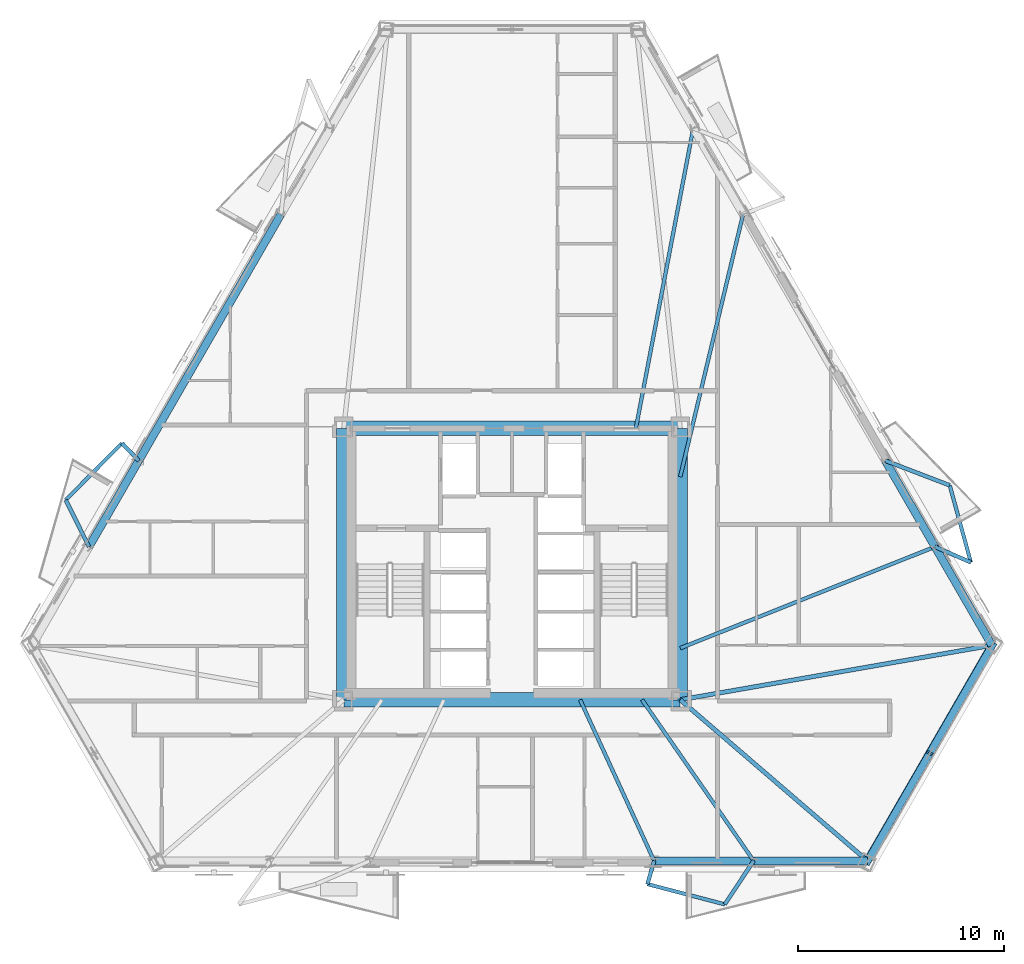
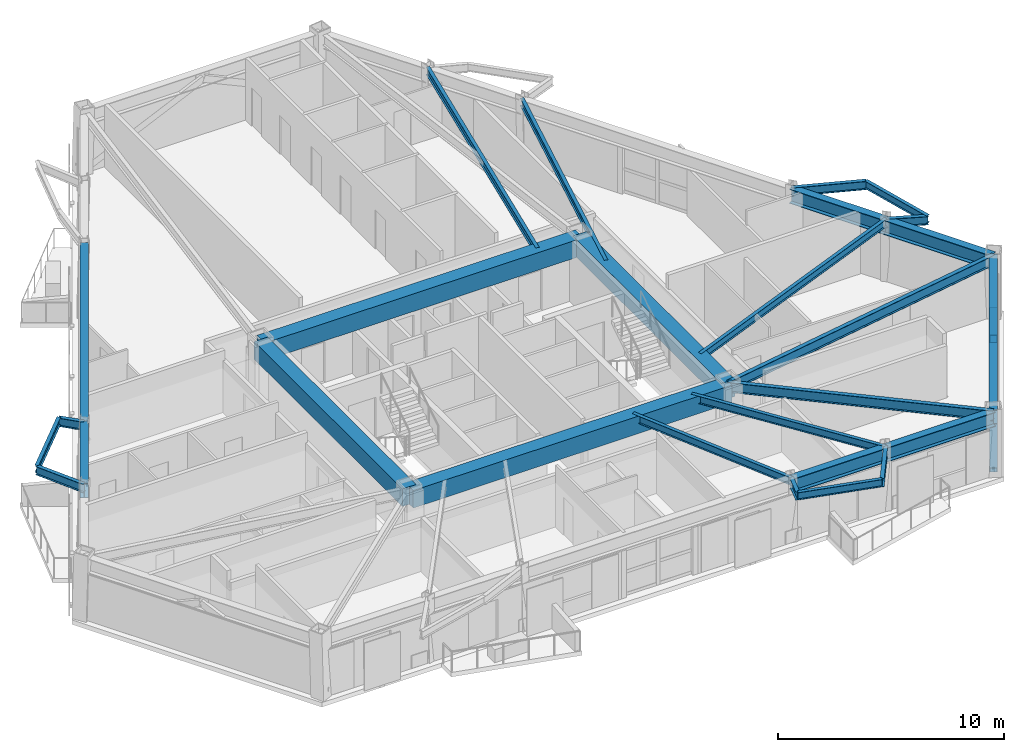
# One storey, part 4 of 15: 27 beams, 2 members.
"""IFC4 building model written with IfcOpenShell, lengths in metres."""

from ifc_helpers import new_model, si_unit, direction, frame, origin, origin_2d, place, context, subcontext, project, spatial, rectangle, hollow_rectangle, i_section, extrude, material, material_profile, profile_set, type_object, element, save


model = new_model("IFC4")

# Units and contexts
model_context = context("Model", 3, precision=1e-05, world=origin(), true_north=direction((0.0, 1.0)))
body_context = subcontext(model_context, "Body", "Model", "MODEL_VIEW")
ifc_project = project(units=[si_unit("LENGTHUNIT", "METRE"), si_unit("AREAUNIT", "SQUARE_METRE"), si_unit("VOLUMEUNIT", "CUBIC_METRE"), si_unit("PLANEANGLEUNIT", "RADIAN"), si_unit("MASSUNIT", "GRAM", prefix="KILO")], contexts=[model_context])

# Site, building, storey
site_placement = place(None, origin())
site = spatial("IfcSite", under=ifc_project, at=site_placement, CompositionType="ELEMENT")
building_placement = place(site_placement, origin())
building = spatial("IfcBuilding", under=site, at=building_placement, Name="Oramaril Tower", CompositionType="ELEMENT")
storey_placement = place(building_placement, frame((0.0, 0.0, 93.300048828125)))
storey = spatial("IfcBuildingStorey", under=building, at=storey_placement, Name="L24", CompositionType="ELEMENT", Elevation=93.300048828125)

# Beams
ifc_material_1 = material(Name="Steel ASTM A572 Gr 50", Category="steel")
ifc_material_profile_1 = material_profile(ifc_material_1, i_section(OverallWidth=0.19091796875, OverallDepth=0.45703125, WebThickness=0.009033203125, FlangeThickness=0.014404296875, at=origin_2d()), Name="W18X50")
ifc_profile_set_1 = profile_set([ifc_material_profile_1], Name="Steel ASTM A572 Gr 50")
beam_type_1 = type_object("IfcBeamType", Name="BT-BB1", PredefinedType="BEAM", material=ifc_profile_set_1)
beam_1_placement = place(storey_placement, frame((44.387451171875, 3.198486328125, 3.13134765625), z_axis=(-0.27721972499, -0.960806548727, 0.0), x_axis=(0.960806548727, -0.27721972499, 0.0)))
element("IfcBeam", 1, at=beam_1_placement, inside=storey, type_object=beam_type_1, Name="L24 Balcony Column-Framed Cantilever 02.1", PredefinedType="BEAM", context=body_context, shape_type="SweptSolid", body=[
    extrude(i_section(OverallWidth=0.19091796875, OverallDepth=0.45703125, WebThickness=0.009033203125, FlangeThickness=0.014404296875, at=origin_2d()), origin(), (0.0, 0.0, 1.0), 1.173828125),
])
beam_2_placement = place(storey_placement, frame((49.20849609375, 3.198486328125, 3.13134765625), z_axis=(-0.553898821255, -0.832583987242, 0.0), x_axis=(0.832583987242, -0.553898821255, 0.0)))
element("IfcBeam", 2, at=beam_2_placement, inside=storey, type_object=beam_type_1, Name="L24 Balcony Column-Framed Cantilever 02.2", PredefinedType="BEAM", context=body_context, shape_type="SweptSolid", body=[
    extrude(i_section(OverallWidth=0.19091796875, OverallDepth=0.45703125, WebThickness=0.009033203125, FlangeThickness=0.014404296875, at=origin_2d()), origin(), (0.0, 0.0, 1.0), 2.53173828125),
])
beam_3_placement = place(storey_placement, frame((57.9912109375, 18.410888671875, 3.13134765625), z_axis=(0.917289076749, -0.398221985426, 0.0), x_axis=(0.398221985426, 0.917289076749, 0.0)))
element("IfcBeam", 3, at=beam_3_placement, inside=storey, type_object=beam_type_1, Name="L24 Balcony Column-Framed Cantilever 03.1", PredefinedType="BEAM", context=body_context, shape_type="SweptSolid", body=[
    extrude(i_section(OverallWidth=0.19091796875, OverallDepth=0.45703125, WebThickness=0.009033203125, FlangeThickness=0.014404296875, at=origin_2d()), origin(), (0.0, 0.0, 1.0), 1.89501953125),
])
beam_4_placement = place(storey_placement, frame((55.580810546875, 22.586181640625, 3.13134765625), z_axis=(0.933796088195, -0.357805625545, 0.0), x_axis=(0.357805625545, 0.933796088195, 0.0)))
element("IfcBeam", 4, at=beam_4_placement, inside=storey, type_object=beam_type_1, Name="L24 Balcony Column-Framed Cantilever 03.2", PredefinedType="BEAM", context=body_context, shape_type="SweptSolid", body=[
    extrude(i_section(OverallWidth=0.19091796875, OverallDepth=0.45703125, WebThickness=0.009033203125, FlangeThickness=0.014404296875, at=origin_2d()), origin(), (0.0, 0.0, 1.0), 3.346923828125),
])
beam_5_placement = place(storey_placement, frame((19.419189453125, 22.586181640625, 3.13134765625), z_axis=(-0.693565749813, 0.72039333054, 0.0), x_axis=(-0.72039333054, -0.693565749813, 0.0)))
element("IfcBeam", 5, at=beam_5_placement, inside=storey, type_object=beam_type_1, Name="L24 Balcony Column-Framed Cantilever 06.1", PredefinedType="BEAM", context=body_context, shape_type="SweptSolid", body=[
    extrude(i_section(OverallWidth=0.19091796875, OverallDepth=0.45703125, WebThickness=0.009033203125, FlangeThickness=0.014404296875, at=origin_2d()), origin(), (0.0, 0.0, 1.0), 1.173828125),
])
beam_6_placement = place(storey_placement, frame((17.0087890625, 18.410888671875, 3.13134765625), z_axis=(-0.44404798212, 0.89600300757, 0.0), x_axis=(-0.89600300757, -0.44404798212, 0.0)))
element("IfcBeam", 6, at=beam_6_placement, inside=storey, type_object=beam_type_1, Name="L24 Balcony Column-Framed Cantilever 06.2", PredefinedType="BEAM", context=body_context, shape_type="SweptSolid", body=[
    extrude(i_section(OverallWidth=0.19091796875, OverallDepth=0.45703125, WebThickness=0.009033203125, FlangeThickness=0.014404296875, at=origin_2d()), origin(), (0.0, 0.0, 1.0), 2.531982421875),
])
ifc_material_2 = material(Name="Concrete C50/60", Category="concrete")
ifc_material_profile_2 = material_profile(ifc_material_2, rectangle(XDim=0.699951171875, YDim=0.949951171875, at=origin_2d()), Name="CB700X950")
ifc_profile_set_2 = profile_set([ifc_material_profile_2], Name="Concrete C50/60")
beam_type_2 = type_object("IfcBeamType", Name="BT-CB1", PredefinedType="BEAM", material=ifc_profile_set_2)
beam_7_placement = place(storey_placement, frame((29.35009765625, 11.0, 2.885009765625), z_axis=(1.0, 0.0, 0.0), x_axis=(0.0, 1.0, 0.0)))
element("IfcBeam", 7, at=beam_7_placement, inside=storey, type_object=beam_type_2, Name="L24 Core Header Beam CB-1", PredefinedType="BEAM", context=body_context, shape_type="SweptSolid", body=[
    extrude(rectangle(XDim=0.699951171875, YDim=0.949951171875, at=origin_2d()), origin(), (0.0, 0.0, 1.0), 16.2998046875),
])
beam_8_placement = place(storey_placement, frame((45.64990234375, 11.0, 2.885009765625), z_axis=(0.0, 1.0, 0.0), x_axis=(-1.0, 0.0, 0.0)))
element("IfcBeam", 8, at=beam_8_placement, inside=storey, type_object=beam_type_2, Name="L24 Core Header Beam CB-2", PredefinedType="BEAM", context=body_context, shape_type="SweptSolid", body=[
    extrude(rectangle(XDim=0.699951171875, YDim=0.949951171875, at=origin_2d()), origin(), (0.0, 0.0, 1.0), 13.14990234375),
])
beam_9_placement = place(storey_placement, frame((45.64990234375, 24.14990234375, 2.885009765625), z_axis=(-1.0, 0.0, 0.0), x_axis=(0.0, -1.0, 0.0)))
element("IfcBeam", 9, at=beam_9_placement, inside=storey, type_object=beam_type_2, Name="L24 Core Header Beam CB-3", PredefinedType="BEAM", context=body_context, shape_type="SweptSolid", body=[
    extrude(rectangle(XDim=0.699951171875, YDim=0.949951171875, at=origin_2d()), origin(), (0.0, 0.0, 1.0), 16.2998046875),
])
beam_10_placement = place(storey_placement, frame((29.35009765625, 24.14990234375, 2.885009765625), z_axis=(0.0, -1.0, 0.0), x_axis=(1.0, 0.0, 0.0)))
element("IfcBeam", 10, at=beam_10_placement, inside=storey, type_object=beam_type_2, Name="L24 Core Header Beam CB-4", PredefinedType="BEAM", context=body_context, shape_type="SweptSolid", body=[
    extrude(rectangle(XDim=0.699951171875, YDim=0.949951171875, at=origin_2d()), origin(), (0.0, 0.0, 1.0), 13.14990234375),
])
ifc_material_3 = material(Name="Steel ASTM A572 Gr 50", Category="steel")
ifc_material_profile_3 = material_profile(ifc_material_3, i_section(OverallWidth=0.2099609375, OverallDepth=0.535888671875, WebThickness=0.010986328125, FlangeThickness=0.017333984375, at=origin_2d()), Name="W21X68")
ifc_profile_set_3 = profile_set([ifc_material_profile_3], Name="Steel ASTM A572 Gr 50")
beam_type_3 = type_object("IfcBeamType", Name="BT-FB2", PredefinedType="BEAM", material=ifc_profile_set_3)
beam_11_placement = place(storey_placement, frame((45.64990234375, 11.0, 3.092041015625), z_axis=(0.758081266074, -0.652160098463, 0.0), x_axis=(0.652160098463, 0.758081266074, 0.0)))
element("IfcBeam", 11, at=beam_11_placement, inside=storey, type_object=beam_type_3, Name="L24 Radial Primary Beam RB-03", PredefinedType="BEAM", context=body_context, shape_type="SweptSolid", body=[
    extrude(i_section(OverallWidth=0.2099609375, OverallDepth=0.535888671875, WebThickness=0.010986328125, FlangeThickness=0.017333984375, at=origin_2d()), origin(), (0.0, 0.0, 1.0), 11.962646484375),
])
beam_12_placement = place(storey_placement, frame((45.64990234375, 11.0, 3.092041015625), z_axis=(0.985060072738, 0.172211071357, 0.0), x_axis=(-0.172211071357, 0.985060072738, 0.0)))
element("IfcBeam", 12, at=beam_12_placement, inside=storey, type_object=beam_type_3, Name="L24 Radial Primary Beam RB-04", PredefinedType="BEAM", context=body_context, shape_type="SweptSolid", body=[
    extrude(i_section(OverallWidth=0.2099609375, OverallDepth=0.535888671875, WebThickness=0.010986328125, FlangeThickness=0.017333984375, at=origin_2d()), origin(), (0.0, 0.0, 1.0), 15.3251953125),
])
ifc_material_4 = material(Name="Steel ASTM A572 Gr 50", Category="steel")
ifc_material_profile_4 = material_profile(ifc_material_4, i_section(OverallWidth=0.177978515625, OverallDepth=0.404052734375, WebThickness=0.007568359375, FlangeThickness=0.010986328125, at=origin_2d()), Name="W16X36")
ifc_profile_set_4 = profile_set([ifc_material_profile_4], Name="Steel ASTM A572 Gr 50")
beam_type_4 = type_object("IfcBeamType", Name="BT-SB1", PredefinedType="BEAM", material=ifc_profile_set_4)
beam_13_placement = place(storey_placement, frame((40.800048828125, 11.0, 3.157958984375), z_axis=(0.417781231492, -0.908547655664, 0.0), x_axis=(0.908547655664, 0.417781231492, 0.0)))
element("IfcBeam", 13, at=beam_13_placement, inside=storey, type_object=beam_type_4, Name="L24 Secondary Floor Beam SB-03", PredefinedType="BEAM", context=body_context, shape_type="SweptSolid", body=[
    extrude(i_section(OverallWidth=0.177978515625, OverallDepth=0.404052734375, WebThickness=0.007568359375, FlangeThickness=0.010986328125, at=origin_2d()), origin(), (0.0, 0.0, 1.0), 8.5869140625),
])
beam_14_placement = place(storey_placement, frame((43.800048828125, 11.0, 3.157958984375), z_axis=(0.569736777803, -0.821827234897, 0.0), x_axis=(0.821827234897, 0.569736777803, 0.0)))
element("IfcBeam", 14, at=beam_14_placement, inside=storey, type_object=beam_type_4, Name="L24 Secondary Floor Beam SB-04", PredefinedType="BEAM", context=body_context, shape_type="SweptSolid", body=[
    extrude(i_section(OverallWidth=0.177978515625, OverallDepth=0.404052734375, WebThickness=0.007568359375, FlangeThickness=0.010986328125, at=origin_2d()), origin(), (0.0, 0.0, 1.0), 9.492919921875),
])
beam_15_placement = place(storey_placement, frame((45.64990234375, 13.5, 3.157958984375), z_axis=(0.92914070568, 0.369726316414, 0.0), x_axis=(-0.369726316414, 0.92914070568, 0.0)))
element("IfcBeam", 15, at=beam_15_placement, inside=storey, type_object=beam_type_4, Name="L24 Secondary Floor Beam SB-05", PredefinedType="BEAM", context=body_context, shape_type="SweptSolid", body=[
    extrude(i_section(OverallWidth=0.177978515625, OverallDepth=0.404052734375, WebThickness=0.007568359375, FlangeThickness=0.010986328125, at=origin_2d()), origin(), (0.0, 0.0, 1.0), 13.282470703125),
])
beam_16_placement = place(storey_placement, frame((45.64990234375, 21.800048828125, 3.157958984375), z_axis=(0.232778252676, 0.97252983763, 0.0), x_axis=(-0.97252983763, 0.232778252676, 0.0)))
element("IfcBeam", 16, at=beam_16_placement, inside=storey, type_object=beam_type_4, Name="L24 Secondary Floor Beam SB-06", PredefinedType="BEAM", context=body_context, shape_type="SweptSolid", body=[
    extrude(i_section(OverallWidth=0.177978515625, OverallDepth=0.404052734375, WebThickness=0.007568359375, FlangeThickness=0.010986328125, at=origin_2d()), origin(), (0.0, 0.0, 1.0), 13.074462890625),
])
beam_17_placement = place(storey_placement, frame((43.5, 24.14990234375, 3.157958984375), z_axis=(0.187962270854, 0.982176249324, 0.0), x_axis=(-0.982176249324, 0.187962270854, 0.0)))
element("IfcBeam", 17, at=beam_17_placement, inside=storey, type_object=beam_type_4, Name="L24 Secondary Floor Beam SB-07", PredefinedType="BEAM", context=body_context, shape_type="SweptSolid", body=[
    extrude(i_section(OverallWidth=0.177978515625, OverallDepth=0.404052734375, WebThickness=0.007568359375, FlangeThickness=0.010986328125, at=origin_2d()), origin(), (0.0, 0.0, 1.0), 14.8046875),
])
beam_18_placement = place(storey_placement, frame((44.06201171875, 2.070556640625, 3.157958984375), z_axis=(0.967411967632, -0.253207592467, 0.0), x_axis=(0.253207592467, 0.967411967632, 0.0)))
element("IfcBeam", 18, at=beam_18_placement, inside=storey, type_object=beam_type_4, Name="L24 Balcony Edge Tie Beam 02", PredefinedType="BEAM", context=body_context, shape_type="SweptSolid", body=[
    extrude(i_section(OverallWidth=0.177978515625, OverallDepth=0.404052734375, WebThickness=0.007568359375, FlangeThickness=0.010986328125, at=origin_2d()), origin(), (0.0, 0.0, 1.0), 3.870361328125),
])
beam_19_placement = place(storey_placement, frame((59.7294921875, 17.65625, 3.157958984375), z_axis=(-0.264440915482, 0.964401888332, 0.0), x_axis=(-0.964401888332, -0.264440915482, 0.0)))
element("IfcBeam", 19, at=beam_19_placement, inside=storey, type_object=beam_type_4, Name="L24 Balcony Edge Tie Beam 03", PredefinedType="BEAM", context=body_context, shape_type="SweptSolid", body=[
    extrude(i_section(OverallWidth=0.177978515625, OverallDepth=0.404052734375, WebThickness=0.007568359375, FlangeThickness=0.010986328125, at=origin_2d()), origin(), (0.0, 0.0, 1.0), 3.8701171875),
])
beam_20_placement = place(storey_placement, frame((18.60498046875, 23.431884765625, 3.157958984375), z_axis=(-0.702962602335, -0.711226813132, 0.0), x_axis=(0.711226813132, -0.702962602335, 0.0)))
element("IfcBeam", 20, at=beam_20_placement, inside=storey, type_object=beam_type_4, Name="L24 Balcony Edge Tie Beam 06", PredefinedType="BEAM", context=body_context, shape_type="SweptSolid", body=[
    extrude(i_section(OverallWidth=0.177978515625, OverallDepth=0.404052734375, WebThickness=0.007568359375, FlangeThickness=0.010986328125, at=origin_2d()), origin(), (0.0, 0.0, 1.0), 3.869873046875),
])
ifc_material_5 = material(Name="Steel ASTM A572 Gr 50", Category="steel")
ifc_material_profile_5 = material_profile(ifc_material_5, i_section(OverallWidth=0.381103515625, OverallDepth=0.77197265625, WebThickness=0.0166015625, FlangeThickness=0.027099609375, at=origin_2d()), Name="W30X173")
ifc_profile_set_5 = profile_set([ifc_material_profile_5], Name="Steel ASTM A572 Gr 50")
beam_type_5 = type_object("IfcBeamType", Name="BT-SP2", PredefinedType="SPANDREL", material=ifc_profile_set_5)
beam_21_placement = place(storey_placement, frame((44.387451171875, 3.198486328125, 2.973876953125), z_axis=(1.0, 0.0, 0.0), x_axis=(0.0, 1.0, 0.0)))
element("IfcBeam", 21, at=beam_21_placement, inside=storey, type_object=beam_type_5, Name="L24 Perimeter Spandrel 05", PredefinedType="SPANDREL", context=body_context, shape_type="SweptSolid", body=[
    extrude(i_section(OverallWidth=0.381103515625, OverallDepth=0.77197265625, WebThickness=0.0166015625, FlangeThickness=0.027099609375, at=origin_2d()), origin(), (0.0, 0.0, 1.0), 4.821044921875),
])
beam_22_placement = place(storey_placement, frame((49.20849609375, 3.198486328125, 2.973876953125), z_axis=(1.0, 0.0, 0.0), x_axis=(0.0, 1.0, 0.0)))
element("IfcBeam", 22, at=beam_22_placement, inside=storey, type_object=beam_type_5, Name="L24 Perimeter Spandrel 06", PredefinedType="SPANDREL", context=body_context, shape_type="SweptSolid", body=[
    extrude(i_section(OverallWidth=0.381103515625, OverallDepth=0.77197265625, WebThickness=0.0166015625, FlangeThickness=0.027099609375, at=origin_2d()), origin(), (0.0, 0.0, 1.0), 5.510009765625),
])
beam_23_placement = place(storey_placement, frame((54.718505859375, 3.198486328125, 2.973876953125), z_axis=(0.499978975251, 0.866037542088, 0.0), x_axis=(-0.866037542088, 0.499978975251, 0.0)))
element("IfcBeam", 23, at=beam_23_placement, inside=storey, type_object=beam_type_5, Name="L24 Perimeter Spandrel 07", PredefinedType="SPANDREL", context=body_context, shape_type="SweptSolid", body=[
    extrude(i_section(OverallWidth=0.381103515625, OverallDepth=0.77197265625, WebThickness=0.0166015625, FlangeThickness=0.027099609375, at=origin_2d()), origin(), (0.0, 0.0, 1.0), 12.0556640625),
])
beam_24_placement = place(storey_placement, frame((60.74609375, 13.63916015625, 2.973876953125), z_axis=(-0.499989664371, 0.86603137098, 0.0), x_axis=(-0.86603137098, -0.499989664371, 0.0)))
element("IfcBeam", 24, at=beam_24_placement, inside=storey, type_object=beam_type_5, Name="L24 Perimeter Spandrel 08", PredefinedType="SPANDREL", context=body_context, shape_type="SweptSolid", body=[
    extrude(i_section(OverallWidth=0.381103515625, OverallDepth=0.77197265625, WebThickness=0.0166015625, FlangeThickness=0.027099609375, at=origin_2d()), origin(), (0.0, 0.0, 1.0), 5.509765625),
])
beam_25_placement = place(storey_placement, frame((57.9912109375, 18.410888671875, 2.973876953125), z_axis=(-0.499967933054, 0.866043916853, 0.0), x_axis=(-0.866043916853, -0.499967933054, 0.0)))
element("IfcBeam", 25, at=beam_25_placement, inside=storey, type_object=beam_type_5, Name="L24 Perimeter Spandrel 09", PredefinedType="SPANDREL", context=body_context, shape_type="SweptSolid", body=[
    extrude(i_section(OverallWidth=0.381103515625, OverallDepth=0.77197265625, WebThickness=0.0166015625, FlangeThickness=0.027099609375, at=origin_2d()), origin(), (0.0, 0.0, 1.0), 4.821044921875),
])
beam_26_placement = place(storey_placement, frame((26.306640625, 34.515380859375, 2.973876953125), z_axis=(-0.500006794592, -0.866021480889, 0.0), x_axis=(0.866021480889, -0.500006794592, 0.0)))
element("IfcBeam", 26, at=beam_26_placement, inside=storey, type_object=beam_type_5, Name="L24 Perimeter Spandrel 16", PredefinedType="SPANDREL", context=body_context, shape_type="SweptSolid", body=[
    extrude(i_section(OverallWidth=0.381103515625, OverallDepth=0.77197265625, WebThickness=0.0166015625, FlangeThickness=0.027099609375, at=origin_2d()), origin(), (0.0, 0.0, 1.0), 13.774658203125),
])
beam_27_placement = place(storey_placement, frame((19.419189453125, 22.586181640625, 2.973876953125), z_axis=(-0.499967933054, -0.866043916853, 0.0), x_axis=(0.866043916853, -0.499967933054, 0.0)))
element("IfcBeam", 27, at=beam_27_placement, inside=storey, type_object=beam_type_5, Name="L24 Perimeter Spandrel 17", PredefinedType="SPANDREL", context=body_context, shape_type="SweptSolid", body=[
    extrude(i_section(OverallWidth=0.381103515625, OverallDepth=0.77197265625, WebThickness=0.0166015625, FlangeThickness=0.027099609375, at=origin_2d()), origin(), (0.0, 0.0, 1.0), 4.821044921875),
])

# Members
ifc_material_6 = material(Name="Steel ASTM A572 Gr 50", Category="steel")
ifc_material_profile_6 = material_profile(ifc_material_6, hollow_rectangle(XDim=0.35009765625, YDim=0.35009765625, WallThickness=0.01611328125, at=origin_2d()), Name="HSS350X350X16")
ifc_profile_set_6 = profile_set([ifc_material_profile_6], Name="Steel ASTM A572 Gr 50")
member_type = type_object("IfcMemberType", Name="MT-KB1", PredefinedType="BRACE", material=ifc_profile_set_6)
member_1_placement = place(storey_placement, frame((54.677978515625, 3.110107421875, 0.179931640625), z_axis=(0.454931109232, 0.787896870859, 0.415037596783), x_axis=(-0.866007013454, 0.500031851635, 0.0)))
element("IfcMember", 28, at=member_1_placement, inside=storey, type_object=member_type, Name="L24 Perimeter Chevron Brace KB-2A", PredefinedType="BRACE", context=body_context, shape_type="SweptSolid", body=[
    extrude(hollow_rectangle(XDim=0.35009765625, YDim=0.35009765625, WallThickness=0.01611328125, at=origin_2d()), origin(), (0.0, 0.0, 1.0), 6.731689453125),
])
member_2_placement = place(storey_placement, frame((60.802734375, 13.71826171875, 0.179931640625), z_axis=(-0.45488934877, -0.787923622049, 0.415032584495), x_axis=(0.866034240187, -0.49998469459, 0.0)))
element("IfcMember", 29, at=member_2_placement, inside=storey, type_object=member_type, Name="L24 Perimeter Chevron Brace KB-2B", PredefinedType="BRACE", context=body_context, shape_type="SweptSolid", body=[
    extrude(hollow_rectangle(XDim=0.35009765625, YDim=0.35009765625, WallThickness=0.01611328125, at=origin_2d()), origin(), (0.0, 0.0, 1.0), 6.73193359375),
])

save(model, "model.ifc")
